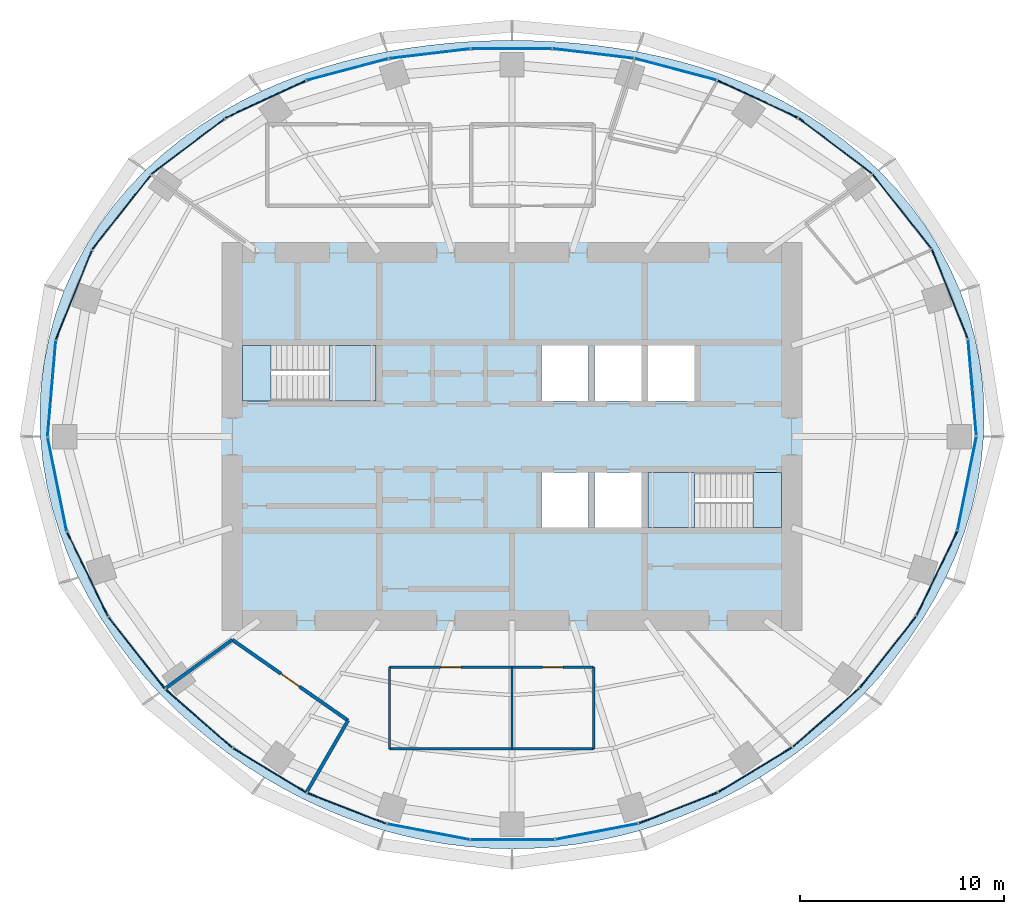
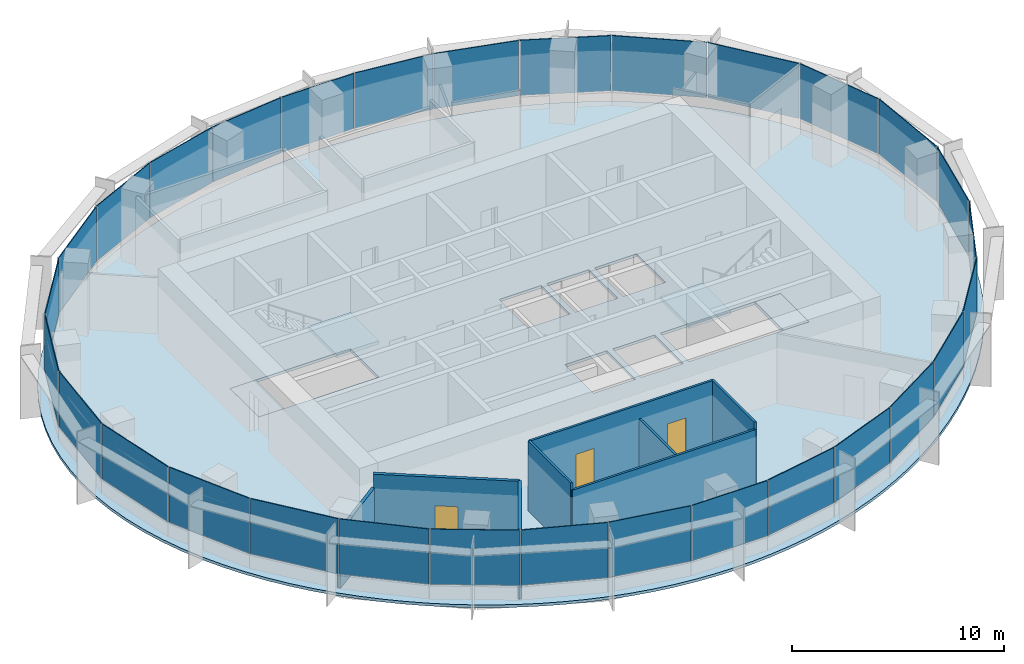
# One storey, part 8 of 13: 30 plates, 8 walls, 5 slabs, 3 doors, 3 openings, 8 elements without a shape of their own.
"""IFC4 building model written with IfcOpenShell, lengths in metres."""

import ifcopenshell
import ifcopenshell.guid

model = None  # the IFC model being written
_history = None  # IfcOwnerHistory: only IFC2X3 demands one
_inside = {}  # id of a spatial element -> (the spatial element, [elements in it])
_under = {}  # id of a project, library or spatial element -> (it, [spatial elements below it])
_declared = {}  # id of a project -> (the project, [libraries it declares])
_typed = {}  # id of a type object -> (the type object, [elements of that type])
_made_of = {}  # id of a material, layer set ... -> (it, [elements and type objects made of it])


def new_model(schema):
    """Start an empty IFC model of exactly this schema.

    Asked for "IFC4X3", IfcOpenShell would pick the latest addendum, in which some entities
    have other attributes; the version numbers below select the first issue.
    IFC2X3 requires an IfcOwnerHistory on every rooted entity: one is made here for all.
    """
    global model, _history
    if schema == "IFC4X3":
        model = ifcopenshell.file(schema_version=(4, 3, 0, 0))
    else:
        model = ifcopenshell.file(schema=schema)
    _inside.clear()
    _under.clear()
    _declared.clear()
    _typed.clear()
    _made_of.clear()
    _history = None
    if model.schema == "IFC2X3":
        org = make("IfcOrganization", Name="unknown")
        user = make(
            "IfcPersonAndOrganization",
            ThePerson=make("IfcPerson", FamilyName="unknown"),
            TheOrganization=org,
        )
        app = make(
            "IfcApplication",
            ApplicationDeveloper=org,
            Version="unknown",
            ApplicationFullName="unknown",
            ApplicationIdentifier="unknown",
        )
        _history = make(
            "IfcOwnerHistory",
            OwningUser=user,
            OwningApplication=app,
            ChangeAction="ADDED",
            CreationDate=0,
        )
    return model


def make(cls, **values):
    """One entity of the class cls with the attributes given. An attribute that is None is left unset."""
    return model.create_entity(
        cls, **{name: value for name, value in values.items() if value is not None}
    )


def rooted(cls, **values):
    """An entity with a GlobalId (a new one), such as an element, a storey or a relation."""
    return make(cls, GlobalId=ifcopenshell.guid.new(), OwnerHistory=_history, **values)


def si_unit(unit_type, name, prefix=None):
    """IfcSIUnit, for example si_unit("LENGTHUNIT", "METRE", prefix="MILLI")."""
    return make("IfcSIUnit", UnitType=unit_type, Prefix=prefix, Name=name)


def assignment(units):
    """IfcUnitAssignment: the units of a project."""
    return None if units is None else make("IfcUnitAssignment", Units=units)


def point(xyz):
    """IfcCartesianPoint."""
    return None if xyz is None else make("IfcCartesianPoint", Coordinates=xyz)


def direction(xyz):
    """IfcDirection."""
    return None if xyz is None else make("IfcDirection", DirectionRatios=xyz)


def frame(location, z_axis=None, x_axis=None):
    """IfcAxis2Placement3D, a coordinate frame: its origin and axes. An axis left out is left unset."""
    return make(
        "IfcAxis2Placement3D",
        Location=point(location),
        Axis=direction(z_axis),
        RefDirection=direction(x_axis),
    )


def frame_2d(location, x_axis=None):
    """IfcAxis2Placement2D, a coordinate frame in the plane: its origin and x axis."""
    return make(
        "IfcAxis2Placement2D", Location=point(location), RefDirection=direction(x_axis)
    )


def origin():
    """The frame at (0, 0, 0) with its axes left unset."""
    return frame((0.0, 0.0, 0.0))


def origin_2d():
    """The frame at (0, 0) in the plane with its x axis left unset."""
    return frame_2d((0.0, 0.0))


def place(relative_to, where):
    """IfcLocalPlacement: puts the frame where relative to a parent placement (None: the world)."""
    return make(
        "IfcLocalPlacement", PlacementRelTo=relative_to, RelativePlacement=where
    )


def context(
    kind, dimensions, precision=None, world=None, true_north=None, identifier=None
):
    """IfcGeometricRepresentationContext, for example the 3D "Model" context."""
    return make(
        "IfcGeometricRepresentationContext",
        ContextIdentifier=identifier,
        ContextType=kind,
        CoordinateSpaceDimension=dimensions,
        Precision=precision,
        WorldCoordinateSystem=world,
        TrueNorth=true_north,
    )


def subcontext(parent, identifier, kind, view, scale=None):
    """IfcGeometricRepresentationSubContext, for example "Body" below "Model"."""
    return make(
        "IfcGeometricRepresentationSubContext",
        ContextIdentifier=identifier,
        ContextType=kind,
        ParentContext=parent,
        TargetScale=scale,
        TargetView=view,
    )


def project(units=None, contexts=None):
    """IfcProject with its units and contexts."""
    return rooted(
        "IfcProject",
        Name="project",
        RepresentationContexts=contexts,
        UnitsInContext=assignment(units),
    )


def spatial(cls, under=None, at=None, **own):
    """A site, building, storey or space (cls), placed at a placement, below another one or the project."""
    s = rooted(cls, ObjectPlacement=at, **own)
    if under is not None:
        _under.setdefault(under.id(), (under, []))[1].append(s)
    return s


def polyline(points):
    """IfcPolyline through the points."""
    return make("IfcPolyline", Points=[point(p) for p in points])


def profile(cls, at=None, kind="AREA", **sizes):
    """A parametric profile (cls). Its sizes go by their IFC names, for example OverallWidth=200.0."""
    return make(cls, ProfileType=kind, Position=at, **sizes)


def rectangle(**sizes):
    """IfcRectangleProfileDef."""
    return profile("IfcRectangleProfileDef", **sizes)


def outline(outer, holes=None, kind="AREA"):
    """IfcArbitraryClosedProfileDef: a profile drawn as a closed curve; with holes, ...WithVoids."""
    if holes is None:
        return make("IfcArbitraryClosedProfileDef", ProfileType=kind, OuterCurve=outer)
    return make(
        "IfcArbitraryProfileDefWithVoids",
        ProfileType=kind,
        OuterCurve=outer,
        InnerCurves=holes,
    )


def extrude(swept, where, along, depth):
    """IfcExtrudedAreaSolid: the profile swept, set in the frame where, extruded along a direction by depth."""
    return make(
        "IfcExtrudedAreaSolid",
        SweptArea=swept,
        Position=where,
        ExtrudedDirection=direction(along),
        Depth=depth,
    )


def shape(context_of_items, identifier, shape_type, items):
    """IfcShapeRepresentation: the items that make up one representation, for example the "Body"."""
    return make(
        "IfcShapeRepresentation",
        ContextOfItems=context_of_items,
        RepresentationIdentifier=identifier,
        RepresentationType=shape_type,
        Items=items,
    )


def material(Name=None, Category=None):
    """IfcMaterial."""
    return make("IfcMaterial", Name=Name, Category=Category)


def layer(
    of_material, thickness, ventilated=None, Name=None, Category=None, Priority=None
):
    """IfcMaterialLayer: one layer of a wall or slab, of a material (None: an air gap)."""
    return make(
        "IfcMaterialLayer",
        Material=of_material,
        LayerThickness=thickness,
        IsVentilated=ventilated,
        Name=Name,
        Category=Category,
        Priority=Priority,
    )


def layer_set(layers, Name=None):
    """IfcMaterialLayerSet."""
    return make("IfcMaterialLayerSet", MaterialLayers=layers, LayerSetName=Name)


def made_of(thing, what):
    """Note that an element or type object is made of a material, layer set ...; save() writes the relation."""
    if what is not None:
        _made_of.setdefault(what.id(), (what, []))[1].append(thing)
    return thing


def type_object(cls, material=None, **own):
    """A type object (cls), such as IfcWallType, which elements share."""
    return made_of(rooted(cls, **own), material)


def element(
    cls,
    number,
    at=None,
    inside=None,
    cuts=None,
    type_object=None,
    material=None,
    context=None,
    identifier="Body",
    shape_type=None,
    held_by="IfcProductDefinitionShape",
    body=None,
    shapes=None,
    **own,
):
    """One element of the class cls, such as IfcWall. Its Tag is "e" and its number.

    at: its placement. inside: the storey or other place that contains it. cuts: it is an
    opening in that element (IfcRelVoidsElement). A single representation is given by context,
    identifier, shape_type and body (its items); several are given by shapes. held_by: the class
    of the entity that holds the representations. save() writes the other relations.
    """
    e = rooted(cls, Tag="e%d" % number, ObjectPlacement=at, **own)
    if body is not None:
        shapes = [shape(context, identifier, shape_type, body)]
    if shapes is not None:
        e.Representation = make(held_by, Representations=shapes)
    if inside is not None:
        _inside.setdefault(inside.id(), (inside, []))[1].append(e)
    if cuts is not None:
        rooted(
            "IfcRelVoidsElement", RelatingBuildingElement=cuts, RelatedOpeningElement=e
        )
    if type_object is not None:
        _typed.setdefault(type_object.id(), (type_object, []))[1].append(e)
    return made_of(e, material)


def fill(opening, filler):
    """IfcRelFillsElement: the door or window that sits in an opening."""
    return rooted(
        "IfcRelFillsElement",
        RelatingOpeningElement=opening,
        RelatedBuildingElement=filler,
    )


def aggregate(whole, parts):
    """IfcRelAggregates: a whole, such as a stair, and the parts it consists of."""
    return rooted("IfcRelAggregates", RelatingObject=whole, RelatedObjects=parts)


def save(model, path):
    """Write the relations noted so far, then the file.

    IfcRelAggregates (storeys below a building ...), IfcRelContainedInSpatialStructure (elements
    in a storey), IfcRelDefinesByType, IfcRelAssociatesMaterial and IfcRelDeclares: one each for
    every whole, place, type object, material and project.
    """
    for whole, parts in _under.values():
        aggregate(whole, parts)
    for where, things in _inside.values():
        rooted(
            "IfcRelContainedInSpatialStructure",
            RelatedElements=things,
            RelatingStructure=where,
        )
    for kind, things in _typed.values():
        rooted("IfcRelDefinesByType", RelatedObjects=things, RelatingType=kind)
    for what, things in _made_of.values():
        rooted("IfcRelAssociatesMaterial", RelatedObjects=things, RelatingMaterial=what)
    for by, libraries in _declared.values():
        rooted("IfcRelDeclares", RelatingContext=by, RelatedDefinitions=libraries)
    model.write(path)


model = new_model("IFC4")

# Units and contexts
model_context = context("Model", 3, precision=1e-05, world=origin(), true_north=direction((0.0, 1.0)))
body_context = subcontext(model_context, "Body", "Model", "MODEL_VIEW")
ifc_project = project(units=[si_unit("LENGTHUNIT", "METRE"), si_unit("AREAUNIT", "SQUARE_METRE"), si_unit("VOLUMEUNIT", "CUBIC_METRE"), si_unit("PLANEANGLEUNIT", "RADIAN"), si_unit("MASSUNIT", "GRAM", prefix="KILO")], contexts=[model_context])

# Site, building, storey
site_placement = place(None, origin())
site = spatial("IfcSite", under=ifc_project, at=site_placement, CompositionType="ELEMENT")
building_placement = place(site_placement, origin())
building = spatial("IfcBuilding", under=site, at=building_placement, Name="Marramba Exchange Tower", CompositionType="ELEMENT")
storey_placement = place(building_placement, frame((0.0, 0.0, 268.60009765625)))
storey = spatial("IfcBuildingStorey", under=building, at=storey_placement, Name="L65", CompositionType="ELEMENT", Elevation=268.60009765625)

# Slab
ifc_material_1 = material(Name="Concrete N40", Category="concrete")
ifc_layer_1 = layer(ifc_material_1, 0.159912109375)
ifc_layer_set_1 = layer_set([ifc_layer_1], Name="Composite floor slab 160")
slab_type_1 = type_object("IfcSlabType", Name="Composite floor slab 160", PredefinedType="FLOOR", material=ifc_layer_set_1)
slab_1_placement = place(storey_placement, frame((0.0, 0.0, -0.16015625)))
element("IfcSlab", 1, at=slab_1_placement, inside=storey, type_object=slab_type_1, Name="Floor slab L65", PredefinedType="FLOOR", context=body_context, shape_type="SweptSolid", body=[
    extrude(outline(polyline([(23.10009765625, 0.0), (23.129150390625, 1.212158203125), (23.070068359375, 2.4248046875), (22.921630859375, 3.63037109375), (22.6845703125, 4.82177734375), (22.359619140625, 5.9912109375), (21.94970703125, 7.1318359375), (21.4580078125, 8.237060546875), (20.889404296875, 9.300537109375), (20.248779296875, 10.3173828125), (19.542236328125, 11.28271484375), (18.77587890625, 12.193359375), (17.95654296875, 13.046142578125), (17.090576171875, 13.83984375), (16.18505859375, 14.572998046875), (15.245849609375, 15.245849609375), (14.279541015625, 15.85888671875), (13.291259765625, 16.413330078125), (12.28662109375, 16.9111328125), (11.270263671875, 17.3544921875), (10.24560546875, 17.745849609375), (9.21630859375, 18.088134765625), (8.185302734375, 18.38427734375), (7.154296875, 18.63720703125), (6.124755859375, 18.849853515625), (5.09765625, 19.024658203125), (4.073486328125, 19.1640625), (3.05224609375, 19.2705078125), (2.033203125, 19.344970703125), (1.01611328125, 19.389404296875), (0.0, 19.404052734375), (-1.01611328125, 19.389404296875), (-2.033203125, 19.344970703125), (-3.05224609375, 19.2705078125), (-4.073486328125, 19.1640625), (-5.09765625, 19.024658203125), (-6.124755859375, 18.849853515625), (-7.154296875, 18.63720703125), (-8.185302734375, 18.38427734375), (-9.21630859375, 18.088134765625), (-10.24560546875, 17.745849609375), (-11.270263671875, 17.3544921875), (-12.28662109375, 16.9111328125), (-13.291259765625, 16.413330078125), (-14.279541015625, 15.85888671875), (-15.245849609375, 15.245849609375), (-16.18505859375, 14.572998046875), (-17.090576171875, 13.83984375), (-17.95654296875, 13.046142578125), (-18.77587890625, 12.193359375), (-19.542236328125, 11.28271484375), (-20.248779296875, 10.3173828125), (-20.889404296875, 9.300537109375), (-21.4580078125, 8.237060546875), (-21.94970703125, 7.1318359375), (-22.359619140625, 5.9912109375), (-22.6845703125, 4.82177734375), (-22.921630859375, 3.63037109375), (-23.070068359375, 2.4248046875), (-23.129150390625, 1.212158203125), (-23.10009765625, 0.0), (-22.98486328125, -1.20458984375), (-22.78662109375, -2.39501953125), (-22.50927734375, -3.565185546875), (-22.1572265625, -4.709716796875), (-21.736083984375, -5.82421875), (-21.250732421875, -6.90478515625), (-20.706787109375, -7.948486328125), (-20.109619140625, -8.953369140625), (-19.46435546875, -9.91748046875), (-18.77587890625, -10.84033203125), (-18.048583984375, -11.720947265625), (-17.2861328125, -12.55908203125), (-16.4921875, -13.355224609375), (-15.669677734375, -14.10888671875), (-14.820556640625, -14.820556640625), (-13.947509765625, -15.490478515625), (-13.05224609375, -16.1181640625), (-12.1357421875, -16.703369140625), (-11.199951171875, -17.246337890625), (-10.24560546875, -17.745849609375), (-9.274169921875, -18.20166015625), (-8.287109375, -18.613037109375), (-7.285400390625, -18.978759765625), (-6.2705078125, -19.29833984375), (-5.243896484375, -19.570556640625), (-4.20751953125, -19.79443359375), (-3.162841796875, -19.9697265625), (-2.112060546875, -20.09521484375), (-1.05712890625, -20.1708984375), (0.0, -20.196044921875), (1.05712890625, -20.1708984375), (2.112060546875, -20.09521484375), (3.162841796875, -19.9697265625), (4.20751953125, -19.79443359375), (5.243896484375, -19.570556640625), (6.2705078125, -19.29833984375), (7.285400390625, -18.978759765625), (8.287109375, -18.613037109375), (9.274169921875, -18.20166015625), (10.24560546875, -17.745849609375), (11.199951171875, -17.246337890625), (12.1357421875, -16.703369140625), (13.05224609375, -16.1181640625), (13.947509765625, -15.490478515625), (14.820556640625, -14.820556640625), (15.669677734375, -14.10888671875), (16.4921875, -13.355224609375), (17.2861328125, -12.55908203125), (18.048583984375, -11.720947265625), (18.77587890625, -10.84033203125), (19.46435546875, -9.91748046875), (20.109619140625, -8.953369140625), (20.706787109375, -7.948486328125), (21.250732421875, -6.90478515625), (21.736083984375, -5.82421875), (22.1572265625, -4.709716796875), (22.50927734375, -3.565185546875), (22.78662109375, -2.39501953125), (22.98486328125, -1.20458984375), (23.10009765625, 0.0)]), holes=[polyline([(1.449951171875, 1.75), (3.75, 1.75), (3.75, 4.449951171875), (1.449951171875, 4.449951171875), (1.449951171875, 1.75)]), polyline([(4.050048828125, 1.75), (6.35009765625, 1.75), (6.35009765625, 4.449951171875), (4.050048828125, 4.449951171875), (4.050048828125, 1.75)]), polyline([(1.449951171875, -4.449951171875), (3.75, -4.449951171875), (3.75, -1.75), (1.449951171875, -1.75), (1.449951171875, -4.449951171875)]), polyline([(4.050048828125, -4.449951171875), (6.35009765625, -4.449951171875), (6.35009765625, -1.75), (4.050048828125, -1.75), (4.050048828125, -4.449951171875)]), polyline([(6.64990234375, 1.75), (8.949951171875, 1.75), (8.949951171875, 4.449951171875), (6.64990234375, 4.449951171875), (6.64990234375, 1.75)]), polyline([(-13.199951171875, 1.75), (-6.64990234375, 1.75), (-6.64990234375, 4.449951171875), (-13.199951171875, 4.449951171875), (-13.199951171875, 1.75)]), polyline([(6.64990234375, -4.449951171875), (13.199951171875, -4.449951171875), (13.199951171875, -1.75), (6.64990234375, -1.75), (6.64990234375, -4.449951171875)])]), origin(), (0.0, 0.0, 1.0), 0.16015625),
])

# Curtain wall, plates
ifc_material_2 = material(Name="Aluminium framing, bronze anodised", Category="aluminium")
curtain_wall_type = type_object("IfcCurtainWallType", Name="Executive floor ribbon curtain wall", PredefinedType="USERDEFINED", material=ifc_material_2)
curtain_wall_1_placement = place(storey_placement, origin())
curtain_wall_1 = element("IfcCurtainWall", 2, at=curtain_wall_1_placement, inside=storey, type_object=curtain_wall_type, Name="Curtain wall CW5 L65 F01-F05", ObjectType="RIBBON CURTAIN WALL", PredefinedType="USERDEFINED")
ifc_material_3 = material(Name="Laminated double glazed unit 13.52 + 20 + 13.52, bronze tinted, acoustic interlayer", Category="glass")
ifc_layer_2 = layer(ifc_material_3, 0.047119140625)
ifc_layer_set_2 = layer_set([ifc_layer_2], Name="Executive floor ribbon curtain wall panel")
plate_type = type_object("IfcPlateType", Name="Executive floor ribbon curtain wall panel", PredefinedType="CURTAIN_PANEL", material=ifc_layer_set_2)
plate_1_placement = place(storey_placement, frame((22.54345703125, 2.404296875, 0.85986328125), z_axis=(0.0, 0.0, 1.0), x_axis=(-0.085574009881, 0.996331816632, 0.0)))
plate_1 = element("IfcPlate", 3, at=plate_1_placement, type_object=plate_type, Name="CW5 vision panel", PredefinedType="CURTAIN_PANEL", context=body_context, shape_type="SweptSolid", body=[
    extrude(rectangle(XDim=4.70654296875, YDim=0.047119140625, at=origin_2d()), origin(), (0.0, 0.0, 1.0), 3.179931640625),
])
plate_2_placement = place(storey_placement, frame((21.444580078125, 6.9814453125, 0.85986328125), z_axis=(0.0, 0.0, 1.0), x_axis=(-0.372983090774, 0.927838139977, 0.0)))
plate_2 = element("IfcPlate", 4, at=plate_2_placement, type_object=plate_type, Name="CW5 vision panel", PredefinedType="CURTAIN_PANEL", context=body_context, shape_type="SweptSolid", body=[
    extrude(rectangle(XDim=4.692138671875, YDim=0.047119140625, at=origin_2d()), origin(), (0.0, 0.0, 1.0), 3.179931640625),
])
plate_3_placement = place(storey_placement, frame((19.10302734375, 11.02294921875, 0.85986328125), z_axis=(0.0, 0.0, 1.0), x_axis=(-0.618222857512, 0.786002861604, 0.0)))
plate_3 = element("IfcPlate", 5, at=plate_3_placement, type_object=plate_type, Name="CW5 vision panel", PredefinedType="CURTAIN_PANEL", context=body_context, shape_type="SweptSolid", body=[
    extrude(rectangle(XDim=4.624755859375, YDim=0.047119140625, at=origin_2d()), origin(), (0.0, 0.0, 1.0), 3.179931640625),
])
plate_4_placement = place(storey_placement, frame((15.83544921875, 14.23779296875, 0.85986328125), z_axis=(0.0, 0.0, 1.0), x_axis=(-0.796058900199, 0.605219156516, 0.0)))
plate_4 = element("IfcPlate", 6, at=plate_4_placement, type_object=plate_type, Name="CW5 vision panel", PredefinedType="CURTAIN_PANEL", context=body_context, shape_type="SweptSolid", body=[
    extrude(rectangle(XDim=4.49755859375, YDim=0.047119140625, at=origin_2d()), origin(), (0.0, 0.0, 1.0), 3.179931640625),
])
plate_5_placement = place(storey_placement, frame((12.03076171875, 16.533447265625, 0.85986328125), z_axis=(0.0, 0.0, 1.0), x_axis=(-0.90713057934, 0.420849274712, 0.0)))
plate_5 = element("IfcPlate", 7, at=plate_5_placement, type_object=plate_type, Name="CW5 vision panel", PredefinedType="CURTAIN_PANEL", context=body_context, shape_type="SweptSolid", body=[
    extrude(rectangle(XDim=4.321533203125, YDim=0.047119140625, at=origin_2d()), origin(), (0.0, 0.0, 1.0), 3.179931640625),
])
aggregate(curtain_wall_1, [plate_1, plate_2, plate_3, plate_4, plate_5])

curtain_wall_2_placement = place(storey_placement, origin())
curtain_wall_2 = element("IfcCurtainWall", 8, at=curtain_wall_2_placement, inside=storey, type_object=curtain_wall_type, Name="Curtain wall CW5 L65 F06-F10", ObjectType="RIBBON CURTAIN WALL", PredefinedType="USERDEFINED")
plate_6_placement = place(storey_placement, frame((8.0146484375, 17.987548828125, 0.85986328125), z_axis=(0.0, 0.0, 1.0), x_axis=(-0.966643517501, 0.256125574813, 0.0)))
plate_6 = element("IfcPlate", 9, at=plate_6_placement, type_object=plate_type, Name="CW5 vision panel", PredefinedType="CURTAIN_PANEL", context=body_context, shape_type="SweptSolid", body=[
    extrude(rectangle(XDim=4.134033203125, YDim=0.047119140625, at=origin_2d()), origin(), (0.0, 0.0, 1.0), 3.179931640625),
])
plate_7_placement = place(storey_placement, frame((3.976806640625, 18.760498046875, 0.85986328125), z_axis=(0.0, 0.0, 1.0), x_axis=(-0.992947253654, 0.118556954505, 0.0)))
plate_7 = element("IfcPlate", 10, at=plate_7_placement, type_object=plate_type, Name="CW5 vision panel", PredefinedType="CURTAIN_PANEL", context=body_context, shape_type="SweptSolid", body=[
    extrude(rectangle(XDim=3.988525390625, YDim=0.047119140625, at=origin_2d()), origin(), (0.0, 0.0, 1.0), 3.179931640625),
])
plate_8_placement = place(storey_placement, frame((-0.030029296875, 18.9970703125, 0.85986328125), z_axis=(0.0, 0.0, 1.0), x_axis=(-1.0, 0.0, 0.0)))
plate_8 = element("IfcPlate", 11, at=plate_8_placement, type_object=plate_type, Name="CW5 vision panel", PredefinedType="CURTAIN_PANEL", context=body_context, shape_type="SweptSolid", body=[
    extrude(rectangle(XDim=3.933349609375, YDim=0.047119140625, at=origin_2d()), origin(), (0.0, 0.0, 1.0), 3.179931640625),
])
plate_9_placement = place(storey_placement, frame((-4.036376953125, 18.75341796875, 0.85986328125), z_axis=(0.0, 0.0, 1.0), x_axis=(-0.992947253654, -0.118556954505, 0.0)))
plate_9 = element("IfcPlate", 12, at=plate_9_placement, type_object=plate_type, Name="CW5 vision panel", PredefinedType="CURTAIN_PANEL", context=body_context, shape_type="SweptSolid", body=[
    extrude(rectangle(XDim=3.988525390625, YDim=0.047119140625, at=origin_2d()), origin(), (0.0, 0.0, 1.0), 3.179931640625),
])
plate_10_placement = place(storey_placement, frame((-8.072509765625, 17.97216796875, 0.85986328125), z_axis=(0.0, 0.0, 1.0), x_axis=(-0.966643517501, -0.256125574813, 0.0)))
plate_10 = element("IfcPlate", 13, at=plate_10_placement, type_object=plate_type, Name="CW5 vision panel", PredefinedType="CURTAIN_PANEL", context=body_context, shape_type="SweptSolid", body=[
    extrude(rectangle(XDim=4.134033203125, YDim=0.047119140625, at=origin_2d()), origin(), (0.0, 0.0, 1.0), 3.179931640625),
])
aggregate(curtain_wall_2, [plate_6, plate_7, plate_8, plate_9, plate_10])

curtain_wall_3_placement = place(storey_placement, origin())
curtain_wall_3 = element("IfcCurtainWall", 14, at=curtain_wall_3_placement, inside=storey, type_object=curtain_wall_type, Name="Curtain wall CW5 L65 F11-F15", ObjectType="RIBBON CURTAIN WALL", PredefinedType="USERDEFINED")
plate_11_placement = place(storey_placement, frame((-12.085205078125, 16.50830078125, 0.85986328125), z_axis=(0.0, 0.0, 1.0), x_axis=(-0.90713057934, -0.420849274712, 0.0)))
plate_11 = element("IfcPlate", 15, at=plate_11_placement, type_object=plate_type, Name="CW5 vision panel", PredefinedType="CURTAIN_PANEL", context=body_context, shape_type="SweptSolid", body=[
    extrude(rectangle(XDim=4.321533203125, YDim=0.047119140625, at=origin_2d()), origin(), (0.0, 0.0, 1.0), 3.179931640625),
])
plate_12_placement = place(storey_placement, frame((-15.88330078125, 14.201416015625, 0.85986328125), z_axis=(0.0, 0.0, 1.0), x_axis=(-0.796058900199, -0.605219156516, 0.0)))
plate_12 = element("IfcPlate", 16, at=plate_12_placement, type_object=plate_type, Name="CW5 vision panel", PredefinedType="CURTAIN_PANEL", context=body_context, shape_type="SweptSolid", body=[
    extrude(rectangle(XDim=4.49755859375, YDim=0.047119140625, at=origin_2d()), origin(), (0.0, 0.0, 1.0), 3.179931640625),
])
plate_13_placement = place(storey_placement, frame((-19.14013671875, 10.975830078125, 0.85986328125), z_axis=(0.0, 0.0, 1.0), x_axis=(-0.618222857512, -0.786002861604, 0.0)))
plate_13 = element("IfcPlate", 17, at=plate_13_placement, type_object=plate_type, Name="CW5 vision panel", PredefinedType="CURTAIN_PANEL", context=body_context, shape_type="SweptSolid", body=[
    extrude(rectangle(XDim=4.624755859375, YDim=0.047119140625, at=origin_2d()), origin(), (0.0, 0.0, 1.0), 3.179931640625),
])
plate_14_placement = place(storey_placement, frame((-21.467041015625, 6.92578125, 0.85986328125), z_axis=(0.0, 0.0, 1.0), x_axis=(-0.372983090774, -0.927838139977, 0.0)))
plate_14 = element("IfcPlate", 18, at=plate_14_placement, type_object=plate_type, Name="CW5 vision panel", PredefinedType="CURTAIN_PANEL", context=body_context, shape_type="SweptSolid", body=[
    extrude(rectangle(XDim=4.692138671875, YDim=0.047119140625, at=origin_2d()), origin(), (0.0, 0.0, 1.0), 3.179931640625),
])
plate_15_placement = place(storey_placement, frame((-22.548583984375, 2.344482421875, 0.85986328125), z_axis=(0.0, 0.0, 1.0), x_axis=(-0.085574009881, -0.996331816632, 0.0)))
plate_15 = element("IfcPlate", 19, at=plate_15_placement, type_object=plate_type, Name="CW5 vision panel", PredefinedType="CURTAIN_PANEL", context=body_context, shape_type="SweptSolid", body=[
    extrude(rectangle(XDim=4.70654296875, YDim=0.047119140625, at=origin_2d()), origin(), (0.0, 0.0, 1.0), 3.179931640625),
])
aggregate(curtain_wall_3, [plate_11, plate_12, plate_13, plate_14, plate_15])

curtain_wall_4_placement = place(storey_placement, origin())
curtain_wall_4 = element("IfcCurtainWall", 20, at=curtain_wall_4_placement, inside=storey, type_object=curtain_wall_type, Name="Curtain wall CW5 L65 F16-F20", ObjectType="RIBBON CURTAIN WALL", PredefinedType="USERDEFINED")
plate_16_placement = place(storey_placement, frame((-22.276611328125, -2.347900390625, 0.85986328125), z_axis=(0.0, 0.0, 1.0), x_axis=(0.19767053089, -0.980268514856, 0.0)))
plate_16 = element("IfcPlate", 21, at=plate_16_placement, type_object=plate_type, Name="CW5 vision panel", PredefinedType="CURTAIN_PANEL", context=body_context, shape_type="SweptSolid", body=[
    extrude(rectangle(XDim=4.670166015625, YDim=0.047119140625, at=origin_2d()), origin(), (0.0, 0.0, 1.0), 3.179931640625),
])
plate_17_placement = place(storey_placement, frame((-20.789306640625, -6.7509765625, 0.85986328125), z_axis=(0.0, 0.0, 1.0), x_axis=(0.436514585945, -0.89969718031, 0.0)))
plate_17 = element("IfcPlate", 22, at=plate_17_placement, type_object=plate_type, Name="CW5 vision panel", PredefinedType="CURTAIN_PANEL", context=body_context, shape_type="SweptSolid", body=[
    extrude(rectangle(XDim=4.579345703125, YDim=0.047119140625, at=origin_2d()), origin(), (0.0, 0.0, 1.0), 3.179931640625),
])
plate_18_placement = place(storey_placement, frame((-18.3779296875, -10.605712890625, 0.85986328125), z_axis=(0.0, 0.0, 1.0), x_axis=(0.618290634763, -0.78594954734, 0.0)))
plate_18 = element("IfcPlate", 23, at=plate_18_placement, type_object=plate_type, Name="CW5 vision panel", PredefinedType="CURTAIN_PANEL", context=body_context, shape_type="SweptSolid", body=[
    extrude(rectangle(XDim=4.447265625, YDim=0.047119140625, at=origin_2d()), origin(), (0.0, 0.0, 1.0), 3.179931640625),
])
plate_19_placement = place(storey_placement, frame((-15.335693359375, -13.8115234375, 0.85986328125), z_axis=(0.0, 0.0, 1.0), x_axis=(0.752751050569, -0.658305290779, 0.0)))
plate_19 = element("IfcPlate", 24, at=plate_19_placement, type_object=plate_type, Name="CW5 vision panel", PredefinedType="CURTAIN_PANEL", context=body_context, shape_type="SweptSolid", body=[
    extrude(rectangle(XDim=4.31005859375, YDim=0.047119140625, at=origin_2d()), origin(), (0.0, 0.0, 1.0), 3.179931640625),
])
plate_20_placement = place(storey_placement, frame((-11.866455078125, -16.35205078125, 0.85986328125), z_axis=(0.0, 0.0, 1.0), x_axis=(0.854704329539, -0.519115121209, 0.0)))
plate_20 = element("IfcPlate", 25, at=plate_20_placement, type_object=plate_type, Name="CW5 vision panel", PredefinedType="CURTAIN_PANEL", context=body_context, shape_type="SweptSolid", body=[
    extrude(rectangle(XDim=4.2021484375, YDim=0.047119140625, at=origin_2d()), origin(), (0.0, 0.0, 1.0), 3.179931640625),
])
aggregate(curtain_wall_4, [plate_16, plate_17, plate_18, plate_19, plate_20])

curtain_wall_5_placement = place(storey_placement, origin())
curtain_wall_5 = element("IfcCurtainWall", 26, at=curtain_wall_5_placement, inside=storey, type_object=curtain_wall_type, Name="Curtain wall CW5 L65 F21-F25", ObjectType="RIBBON CURTAIN WALL", PredefinedType="USERDEFINED")
plate_21_placement = place(storey_placement, frame((-8.08837890625, -18.215087890625, 0.85986328125), z_axis=(0.0, 0.0, 1.0), x_axis=(0.931785137859, -0.363010271018, 0.0)))
plate_21 = element("IfcPlate", 27, at=plate_21_placement, type_object=plate_type, Name="CW5 vision panel", PredefinedType="CURTAIN_PANEL", context=body_context, shape_type="SweptSolid", body=[
    extrude(rectangle(XDim=4.134521484375, YDim=0.047119140625, at=origin_2d()), origin(), (0.0, 0.0, 1.0), 3.179931640625),
])
plate_22_placement = place(storey_placement, frame((-4.08935546875, -19.36181640625, 0.85986328125), z_axis=(0.0, 0.0, 1.0), x_axis=(0.982193291127, -0.187873198899, 0.0)))
plate_22 = element("IfcPlate", 28, at=plate_22_placement, type_object=plate_type, Name="CW5 vision panel", PredefinedType="CURTAIN_PANEL", context=body_context, shape_type="SweptSolid", body=[
    extrude(rectangle(XDim=4.100830078125, YDim=0.047119140625, at=origin_2d()), origin(), (0.0, 0.0, 1.0), 3.179931640625),
])
plate_23_placement = place(storey_placement, frame((0.030029296875, -19.7470703125, 0.85986328125), z_axis=(0.0, 0.0, 1.0), x_axis=(1.0, 0.0, 0.0)))
plate_23 = element("IfcPlate", 29, at=plate_23_placement, type_object=plate_type, Name="CW5 vision panel", PredefinedType="CURTAIN_PANEL", context=body_context, shape_type="SweptSolid", body=[
    extrude(rectangle(XDim=4.091064453125, YDim=0.047119140625, at=origin_2d()), origin(), (0.0, 0.0, 1.0), 3.179931640625),
])
plate_24_placement = place(storey_placement, frame((4.1484375, -19.3505859375, 0.85986328125), z_axis=(0.0, 0.0, 1.0), x_axis=(0.982193291127, 0.187873198899, 0.0)))
plate_24 = element("IfcPlate", 30, at=plate_24_placement, type_object=plate_type, Name="CW5 vision panel", PredefinedType="CURTAIN_PANEL", context=body_context, shape_type="SweptSolid", body=[
    extrude(rectangle(XDim=4.100830078125, YDim=0.047119140625, at=origin_2d()), origin(), (0.0, 0.0, 1.0), 3.179931640625),
])
plate_25_placement = place(storey_placement, frame((8.144287109375, -18.193115234375, 0.85986328125), z_axis=(0.0, 0.0, 1.0), x_axis=(0.931785137859, 0.363010271018, 0.0)))
plate_25 = element("IfcPlate", 31, at=plate_25_placement, type_object=plate_type, Name="CW5 vision panel", PredefinedType="CURTAIN_PANEL", context=body_context, shape_type="SweptSolid", body=[
    extrude(rectangle(XDim=4.134521484375, YDim=0.047119140625, at=origin_2d()), origin(), (0.0, 0.0, 1.0), 3.179931640625),
])
aggregate(curtain_wall_5, [plate_21, plate_22, plate_23, plate_24, plate_25])

curtain_wall_6_placement = place(storey_placement, origin())
curtain_wall_6 = element("IfcCurtainWall", 32, at=curtain_wall_6_placement, inside=storey, type_object=curtain_wall_type, Name="Curtain wall CW5 L65 F26-F30", ObjectType="RIBBON CURTAIN WALL", PredefinedType="USERDEFINED")
plate_26_placement = place(storey_placement, frame((11.917724609375, -16.321044921875, 0.85986328125), z_axis=(0.0, 0.0, 1.0), x_axis=(0.854704329539, 0.519115121209, 0.0)))
plate_26 = element("IfcPlate", 33, at=plate_26_placement, type_object=plate_type, Name="CW5 vision panel", PredefinedType="CURTAIN_PANEL", context=body_context, shape_type="SweptSolid", body=[
    extrude(rectangle(XDim=4.2021484375, YDim=0.047119140625, at=origin_2d()), origin(), (0.0, 0.0, 1.0), 3.179931640625),
])
plate_27_placement = place(storey_placement, frame((15.380859375, -13.772216796875, 0.85986328125), z_axis=(0.0, 0.0, 1.0), x_axis=(0.752751050569, 0.658305290779, 0.0)))
plate_27 = element("IfcPlate", 34, at=plate_27_placement, type_object=plate_type, Name="CW5 vision panel", PredefinedType="CURTAIN_PANEL", context=body_context, shape_type="SweptSolid", body=[
    extrude(rectangle(XDim=4.31005859375, YDim=0.047119140625, at=origin_2d()), origin(), (0.0, 0.0, 1.0), 3.179931640625),
])
plate_28_placement = place(storey_placement, frame((18.4150390625, -10.55859375, 0.85986328125), z_axis=(0.0, 0.0, 1.0), x_axis=(0.618290634763, 0.78594954734, 0.0)))
plate_28 = element("IfcPlate", 35, at=plate_28_placement, type_object=plate_type, Name="CW5 vision panel", PredefinedType="CURTAIN_PANEL", context=body_context, shape_type="SweptSolid", body=[
    extrude(rectangle(XDim=4.447265625, YDim=0.047119140625, at=origin_2d()), origin(), (0.0, 0.0, 1.0), 3.179931640625),
])
plate_29_placement = place(storey_placement, frame((20.8154296875, -6.697021484375, 0.85986328125), z_axis=(0.0, 0.0, 1.0), x_axis=(0.436514585945, 0.89969718031, 0.0)))
plate_29 = element("IfcPlate", 36, at=plate_29_placement, type_object=plate_type, Name="CW5 vision panel", PredefinedType="CURTAIN_PANEL", context=body_context, shape_type="SweptSolid", body=[
    extrude(rectangle(XDim=4.579345703125, YDim=0.047119140625, at=origin_2d()), origin(), (0.0, 0.0, 1.0), 3.179931640625),
])
plate_30_placement = place(storey_placement, frame((22.288330078125, -2.2890625, 0.85986328125), z_axis=(0.0, 0.0, 1.0), x_axis=(0.19767053089, 0.980268514856, 0.0)))
plate_30 = element("IfcPlate", 37, at=plate_30_placement, type_object=plate_type, Name="CW5 vision panel", PredefinedType="CURTAIN_PANEL", context=body_context, shape_type="SweptSolid", body=[
    extrude(rectangle(XDim=4.670166015625, YDim=0.047119140625, at=origin_2d()), origin(), (0.0, 0.0, 1.0), 3.179931640625),
])
aggregate(curtain_wall_6, [plate_26, plate_27, plate_28, plate_29, plate_30])

# Stair, slabs
ifc_material_4 = material(Name="Concrete N40 (40 MPa)", Category="concrete")
stair_type_1 = type_object("IfcStairType", Name="Exit stair ST1 4200 x 1250", PredefinedType="HALF_TURN_STAIR", material=ifc_material_4)
stair_1_placement = place(storey_placement, origin())
stair_1 = element("IfcStair", 38, at=stair_1_placement, inside=storey, type_object=stair_type_1, Name="Exit stair ST1 L65", PredefinedType="HALF_TURN_STAIR")
ifc_layer_3 = layer(ifc_material_4, 0.199951171875)
ifc_layer_set_3 = layer_set([ifc_layer_3], Name="Stair landing 200")
slab_type_2 = type_object("IfcSlabType", Name="Stair landing 200", PredefinedType="LANDING", material=ifc_layer_set_3)
slab_2_placement = place(storey_placement, frame((0.0, 0.0, -0.2001953125)))
slab_2 = element("IfcSlab", 39, at=slab_2_placement, type_object=slab_type_2, Name="ST1 landing 1", PredefinedType="LANDING", context=body_context, shape_type="SweptSolid", body=[
    extrude(outline(polyline([(-13.199951171875, 1.75), (-11.800048828125, 1.75), (-11.800048828125, 4.449951171875), (-13.199951171875, 4.449951171875), (-13.199951171875, 1.75)])), origin(), (0.0, 0.0, 1.0), 0.2001953125),
])
slab_3_placement = place(storey_placement, frame((0.0, 0.0, 1.89990234375)))
slab_3 = element("IfcSlab", 40, at=slab_3_placement, type_object=slab_type_2, Name="ST1 landing 2", PredefinedType="LANDING", context=body_context, shape_type="SweptSolid", body=[
    extrude(outline(polyline([(-8.93994140625, 1.75), (-6.64990234375, 1.75), (-6.64990234375, 4.449951171875), (-8.93994140625, 4.449951171875), (-8.93994140625, 1.75)])), origin(), (0.0, 0.0, 1.0), 0.199951171875),
])
aggregate(stair_1, [slab_2, slab_3])

stair_type_2 = type_object("IfcStairType", Name="Exit stair ST2 4200 x 1250", PredefinedType="HALF_TURN_STAIR", material=ifc_material_4)
stair_2_placement = place(storey_placement, origin())
stair_2 = element("IfcStair", 41, at=stair_2_placement, inside=storey, type_object=stair_type_2, Name="Exit stair ST2 L65", PredefinedType="HALF_TURN_STAIR")
slab_4_placement = place(storey_placement, frame((0.0, 0.0, -0.2001953125)))
slab_4 = element("IfcSlab", 42, at=slab_4_placement, type_object=slab_type_2, Name="ST2 landing 1", PredefinedType="LANDING", context=body_context, shape_type="SweptSolid", body=[
    extrude(outline(polyline([(11.800048828125, -4.449951171875), (13.199951171875, -4.449951171875), (13.199951171875, -1.75), (11.800048828125, -1.75), (11.800048828125, -4.449951171875)])), origin(), (0.0, 0.0, 1.0), 0.2001953125),
])
slab_5_placement = place(storey_placement, frame((0.0, 0.0, 1.89990234375)))
slab_5 = element("IfcSlab", 43, at=slab_5_placement, type_object=slab_type_2, Name="ST2 landing 2", PredefinedType="LANDING", context=body_context, shape_type="SweptSolid", body=[
    extrude(outline(polyline([(6.64990234375, -4.449951171875), (8.93994140625, -4.449951171875), (8.93994140625, -1.75), (6.64990234375, -1.75), (6.64990234375, -4.449951171875)])), origin(), (0.0, 0.0, 1.0), 0.199951171875),
])
aggregate(stair_2, [slab_4, slab_5])

# Wall
ifc_material_5 = material(Name="Plasterboard on staggered double steel studs, acoustic insulation", Category="steel")
ifc_layer_4 = layer(ifc_material_5, 0.169921875)
ifc_layer_set_4 = layer_set([ifc_layer_4], Name="Acoustic partition 170")
wall_type_1 = type_object("IfcWallType", Name="Acoustic partition 170", PredefinedType="PARTITIONING", material=ifc_layer_set_4)
wall_1_placement = place(storey_placement, frame((-13.7021484375, -9.955322265625, 0.0), z_axis=(0.0, 0.0, 1.0), x_axis=(-0.809026317077, -0.587772420479, 0.0)))
element("IfcWall", 44, at=wall_1_placement, inside=storey, type_object=wall_type_1, Name="Acoustic partition L65 01", PredefinedType="PARTITIONING", context=body_context, shape_type="SweptSolid", body=[
    extrude(rectangle(XDim=4.0, YDim=0.169921875, at=frame_2d((2.0, 0.0))), origin(), (0.0, 0.0, 1.0), 3.239990234375),
])

# Wall, opening, door
wall_2_placement = place(storey_placement, frame((-8.030517578125, -13.909423828125, 0.0), z_axis=(0.0, 0.0, 1.0), x_axis=(-0.820320356129, 0.571904286852, 0.0)))
wall_2 = element("IfcWall", 45, at=wall_2_placement, inside=storey, type_object=wall_type_1, Name="Acoustic partition L65 02", PredefinedType="PARTITIONING", context=body_context, shape_type="SweptSolid", body=[
    extrude(rectangle(XDim=6.913818359375, YDim=0.169921875, at=frame_2d((3.45703125, 0.0))), origin(), (0.0, 0.0, 1.0), 4.039794921875),
])
opening_1_placement = place(wall_2_placement, frame((2.906982421875, 0.0, 0.0)))
opening_1 = element("IfcOpeningElement", 46, at=opening_1_placement, cuts=wall_2, Name="Opening D15", PredefinedType="OPENING", context=body_context, shape_type="SweptSolid", body=[
    extrude(rectangle(XDim=1.10009765625, YDim=2.39990234375, at=frame_2d((0.550048828125, 1.199951171875))), frame((0.0, 0.094970703125, 0.0), z_axis=(0.0, -1.0, 0.0), x_axis=(1.0, 0.0, 0.0)), (0.0, 0.0, 1.0), 0.18994140625),
])
ifc_material_6 = material(Name="Timber door", Category="wood")
door_type_1 = type_object("IfcDoorType", Name="Glazed meeting room door 1100x2400", OperationType="SINGLE_SWING_LEFT", PredefinedType="DOOR", material=ifc_material_6)
door_1_placement = place(opening_1_placement, origin())
door_1 = element("IfcDoor", 47, at=door_1_placement, inside=storey, type_object=door_type_1, Name="D15 Boardroom L65", OperationType="SINGLE_SWING_LEFT", OverallHeight=2.39990234375, OverallWidth=1.10009765625, PredefinedType="DOOR", context=body_context, shape_type="SweptSolid", body=[
    extrude(rectangle(XDim=1.10009765625, YDim=2.39990234375, at=frame_2d((0.550048828125, 1.199951171875))), frame((0.0, 0.02490234375, 0.0), z_axis=(0.0, -1.0, 0.0), x_axis=(1.0, 0.0, 0.0)), (0.0, 0.0, 1.0), 0.050048828125),
])
fill(opening_1, door_1)

# Walls
wall_3_placement = place(storey_placement, frame((-10.030517578125, -17.37353515625, 0.0), z_axis=(0.0, 0.0, 1.0), x_axis=(0.49999894854, 0.866026010844, 0.0)))
element("IfcWall", 48, at=wall_3_placement, inside=storey, type_object=wall_type_1, Name="Acoustic partition L65 03", PredefinedType="PARTITIONING", context=body_context, shape_type="SweptSolid", body=[
    extrude(rectangle(XDim=4.0, YDim=0.169921875, at=frame_2d((2.0, 0.0))), origin(), (0.0, 0.0, 1.0), 4.039794921875),
])
ifc_material_7 = material(Name="Plasterboard on steel studs", Category="steel")
ifc_layer_5 = layer(ifc_material_7, 0.1201171875)
ifc_layer_set_5 = layer_set([ifc_layer_5], Name="Partition 120")
wall_type_2 = type_object("IfcWallType", Name="Partition 120", PredefinedType="PARTITIONING", material=ifc_layer_set_5)
wall_4_placement = place(storey_placement, frame((-6.0, -15.300048828125, 0.0), z_axis=(0.0, 0.0, 1.0), x_axis=(0.0, 1.0, 0.0)))
element("IfcWall", 49, at=wall_4_placement, inside=storey, type_object=wall_type_2, Name="Partition L65 04", PredefinedType="PARTITIONING", context=body_context, shape_type="SweptSolid", body=[
    extrude(rectangle(XDim=4.0, YDim=0.1201171875, at=frame_2d((2.0, 0.0))), origin(), (0.0, 0.0, 1.0), 4.039794921875),
])

# Wall, openings, doors
wall_5_placement = place(storey_placement, frame((-6.0, -11.300048828125, 0.0), z_axis=(0.0, 0.0, 1.0), x_axis=(1.0, 0.0, 0.0)))
wall_5 = element("IfcWall", 50, at=wall_5_placement, inside=storey, type_object=wall_type_2, Name="Partition L65 05", PredefinedType="PARTITIONING", context=body_context, shape_type="SweptSolid", body=[
    extrude(rectangle(XDim=10.0, YDim=0.1201171875, at=frame_2d((5.0, 0.0))), origin(), (0.0, 0.0, 1.0), 4.039794921875),
])
opening_2_placement = place(wall_5_placement, frame((2.5, 0.0, 0.0)))
opening_2 = element("IfcOpeningElement", 51, at=opening_2_placement, cuts=wall_5, Name="Opening D9", PredefinedType="OPENING", context=body_context, shape_type="SweptSolid", body=[
    extrude(rectangle(XDim=1.0, YDim=2.39990234375, at=frame_2d((0.5, 1.199951171875))), frame((0.0, 0.070068359375, 0.0), z_axis=(0.0, -1.0, 0.0), x_axis=(1.0, 0.0, 0.0)), (0.0, 0.0, 1.0), 0.14013671875),
])
opening_3_placement = place(wall_5_placement, frame((7.5, 0.0, 0.0)))
opening_3 = element("IfcOpeningElement", 52, at=opening_3_placement, cuts=wall_5, Name="Opening D9", PredefinedType="OPENING", context=body_context, shape_type="SweptSolid", body=[
    extrude(rectangle(XDim=1.0, YDim=2.39990234375, at=frame_2d((0.5, 1.199951171875))), frame((0.0, 0.070068359375, 0.0), z_axis=(0.0, -1.0, 0.0), x_axis=(1.0, 0.0, 0.0)), (0.0, 0.0, 1.0), 0.14013671875),
])
door_type_2 = type_object("IfcDoorType", Name="Room door 1000x2400", OperationType="SINGLE_SWING_LEFT", PredefinedType="DOOR", material=ifc_material_6)
door_2_placement = place(opening_2_placement, frame((1.0, 0.0, 0.0), z_axis=(0.0, 0.0, 1.0), x_axis=(-1.0, 0.0, 0.0)))
door_2 = element("IfcDoor", 53, at=door_2_placement, inside=storey, type_object=door_type_2, Name="D9 Pantry L65", OperationType="SINGLE_SWING_RIGHT", OverallHeight=2.39990234375, OverallWidth=1.0, PredefinedType="DOOR", context=body_context, shape_type="SweptSolid", body=[
    extrude(rectangle(XDim=1.0, YDim=2.39990234375, at=frame_2d((0.5, 1.199951171875))), frame((0.0, 0.025146484375, 0.0), z_axis=(0.0, -1.0, 0.0), x_axis=(1.0, 0.0, 0.0)), (0.0, 0.0, 1.0), 0.050048828125),
])
fill(opening_2, door_2)
door_3_placement = place(opening_3_placement, frame((1.0, 0.0, 0.0), z_axis=(0.0, 0.0, 1.0), x_axis=(-1.0, 0.0, 0.0)))
door_3 = element("IfcDoor", 54, at=door_3_placement, inside=storey, type_object=door_type_2, Name="D9 Print Room L65", OperationType="SINGLE_SWING_RIGHT", OverallHeight=2.39990234375, OverallWidth=1.0, PredefinedType="DOOR", context=body_context, shape_type="SweptSolid", body=[
    extrude(rectangle(XDim=1.0, YDim=2.39990234375, at=frame_2d((0.5, 1.199951171875))), frame((0.0, 0.025146484375, 0.0), z_axis=(0.0, -1.0, 0.0), x_axis=(1.0, 0.0, 0.0)), (0.0, 0.0, 1.0), 0.050048828125),
])
fill(opening_3, door_3)

# Walls
wall_6_placement = place(storey_placement, frame((4.0, -15.300048828125, 0.0), z_axis=(0.0, 0.0, 1.0), x_axis=(-1.0, 0.0, 0.0)))
element("IfcWall", 55, at=wall_6_placement, inside=storey, type_object=wall_type_2, Name="Partition L65 06", PredefinedType="PARTITIONING", context=body_context, shape_type="SweptSolid", body=[
    extrude(rectangle(XDim=10.0, YDim=0.1201171875, at=frame_2d((5.0, 0.0))), origin(), (0.0, 0.0, 1.0), 3.636962890625),
])
wall_7_placement = place(storey_placement, frame((0.0, -11.300048828125, 0.0), z_axis=(0.0, 0.0, 1.0), x_axis=(0.0, -1.0, 0.0)))
element("IfcWall", 56, at=wall_7_placement, inside=storey, type_object=wall_type_2, Name="Partition L65 07", PredefinedType="PARTITIONING", context=body_context, shape_type="SweptSolid", body=[
    extrude(rectangle(XDim=4.0, YDim=0.1201171875, at=frame_2d((2.0, 0.0))), origin(), (0.0, 0.0, 1.0), 3.239990234375),
])
wall_8_placement = place(storey_placement, frame((4.0, -11.300048828125, 0.0), z_axis=(0.0, 0.0, 1.0), x_axis=(0.0, -1.0, 0.0)))
element("IfcWall", 57, at=wall_8_placement, inside=storey, type_object=wall_type_2, Name="Partition L65 08", PredefinedType="PARTITIONING", context=body_context, shape_type="SweptSolid", body=[
    extrude(rectangle(XDim=4.0, YDim=0.1201171875, at=frame_2d((2.0, 0.0))), origin(), (0.0, 0.0, 1.0), 4.039794921875),
])

save(model, "model.ifc")
